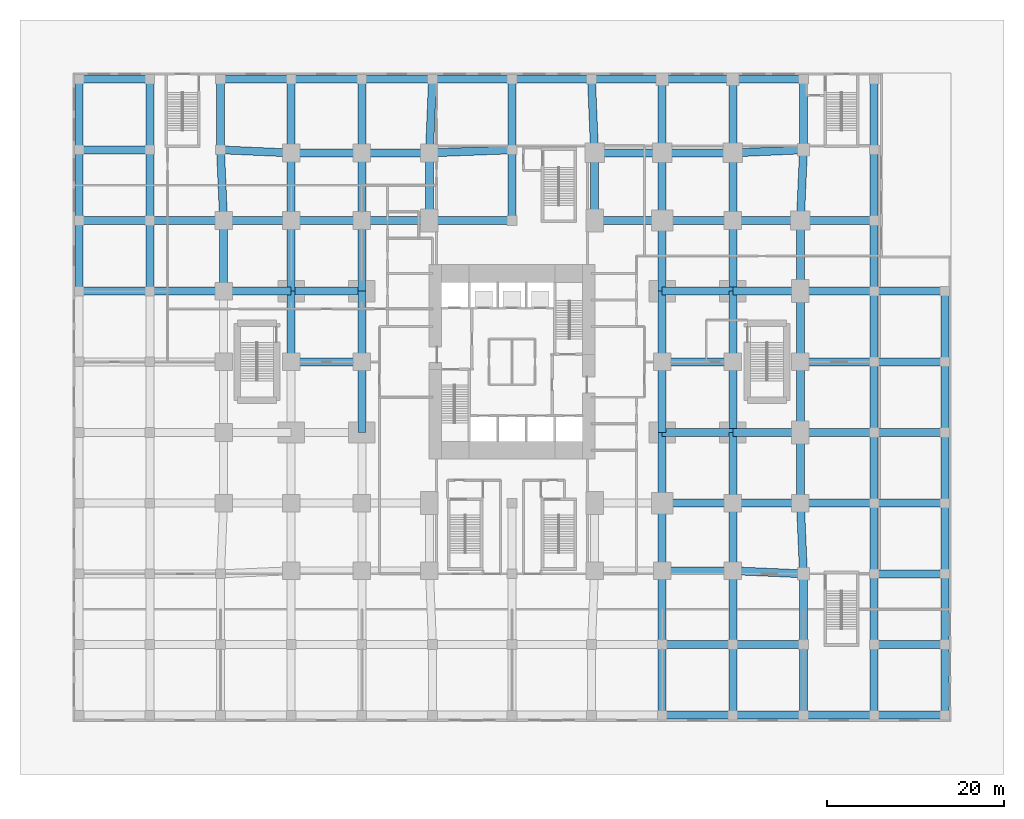
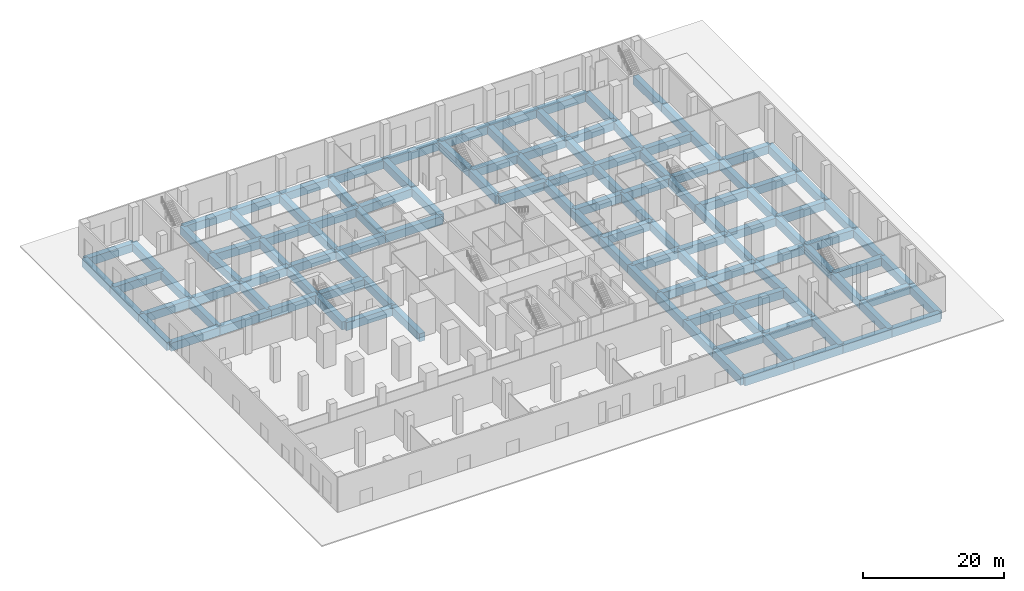
# One storey, part 2 of 16: 123 beams.
"""IFC4 building model written with IfcOpenShell, lengths in metres."""

from ifc_helpers import new_model, si_unit, direction, frame, origin, origin_2d, place, context, subcontext, project, spatial, rectangle, extrude, material, material_profile, profile_set, type_object, element, save


model = new_model("IFC4")

# Units and contexts
model_context = context("Model", 3, precision=1e-05, world=origin(), true_north=direction((0.0, 1.0)))
body_context = subcontext(model_context, "Body", "Model", "MODEL_VIEW")
ifc_project = project(units=[si_unit("LENGTHUNIT", "METRE"), si_unit("AREAUNIT", "SQUARE_METRE"), si_unit("VOLUMEUNIT", "CUBIC_METRE"), si_unit("PLANEANGLEUNIT", "RADIAN"), si_unit("MASSUNIT", "GRAM", prefix="KILO")], contexts=[model_context])

# Site, building, storey
site_placement = place(None, origin())
site = spatial("IfcSite", under=ifc_project, at=site_placement, CompositionType="ELEMENT")
building_placement = place(site_placement, origin())
building = spatial("IfcBuilding", under=site, at=building_placement, Name="Cleftline Residences", CompositionType="ELEMENT")
storey_placement = place(building_placement, origin())
storey = spatial("IfcBuildingStorey", under=building, at=storey_placement, Name="L00", CompositionType="ELEMENT", Elevation=0.0)

# Beams
ifc_material = material(Name="Concrete B45", Category="concrete")
ifc_material_profile = material_profile(ifc_material, rectangle(XDim=0.89990234375, YDim=1.39990234375, at=origin_2d()))
ifc_profile_set = profile_set([ifc_material_profile], Name="Concrete B45")
beam_type = type_object("IfcBeamType", Name="BEAM RC900X1400", PredefinedType="BEAM", material=ifc_profile_set)
for number, where, z_axis, x_axis, name in (
    (1, (50.0, -16.0, -1.0), (1.0, 0.0, 0.0), (0.0, 1.0, 0.0), "Podium beam"),
    (2, (58.0, -16.0, -1.0), (1.0, 0.0, 0.0), (0.0, 1.0, 0.0), "Podium beam"),
    (3, (66.0, -16.0, -1.0), (1.0, 0.0, 0.0), (0.0, 1.0, 0.0), "Podium beam"),
    (4, (74.0, -16.0, -1.0), (1.0, 0.0, 0.0), (0.0, 1.0, 0.0), "Podium beam"),
    (5, (50.0, -8.0, -1.0), (1.0, 0.0, 0.0), (0.0, 1.0, 0.0), "Podium beam"),
    (6, (58.0, -8.0, -1.0), (1.0, 0.0, 0.0), (0.0, 1.0, 0.0), "Podium beam"),
    (7, (74.0, -8.0, -1.0), (1.0, 0.0, 0.0), (0.0, 1.0, 0.0), "Podium beam"),
    (8, (50.0, 0.35009765625, -1.0), (1.0, 0.0, 0.0), (0.0, 1.0, 0.0), "Podium beam"),
):
    element("IfcBeam", number, at=place(storey_placement, frame(where, z_axis=z_axis, x_axis=x_axis)), inside=storey, type_object=beam_type, Name=name, PredefinedType="BEAM", context=body_context, shape_type="SweptSolid", body=[
        extrude(rectangle(XDim=0.89990234375, YDim=1.39990234375, at=origin_2d()), origin(), (0.0, 0.0, 1.0), 8.0),
    ])
beam_1_placement = place(storey_placement, frame((58.0, 0.35009765625, -1.0), z_axis=(0.999043807824, -0.043720361951, 0.0), x_axis=(0.043720361951, 0.999043807824, 0.0)))
element("IfcBeam", 9, at=beam_1_placement, inside=storey, type_object=beam_type, Name="Podium beam", PredefinedType="BEAM", context=body_context, shape_type="SweptSolid", body=[
    extrude(rectangle(XDim=0.89990234375, YDim=1.39990234375, at=origin_2d()), origin(), (0.0, 0.0, 1.0), 8.007568359375),
])
for number, where, z_axis, x_axis, name in (
    (10, (74.0, 0.0, -1.0), (1.0, 0.0, 0.0), (0.0, 1.0, 0.0), "Podium beam"),
    (11, (50.0, 8.0, -1.0), (1.0, 0.0, 0.0), (0.0, 1.0, 0.0), "Podium beam"),
):
    element("IfcBeam", number, at=place(storey_placement, frame(where, z_axis=z_axis, x_axis=x_axis)), inside=storey, type_object=beam_type, Name=name, PredefinedType="BEAM", context=body_context, shape_type="SweptSolid", body=[
        extrude(rectangle(XDim=0.89990234375, YDim=1.39990234375, at=origin_2d()), origin(), (0.0, 0.0, 1.0), 8.0),
    ])
beam_2_placement = place(storey_placement, frame((58.0, 8.0, -1.0), z_axis=(1.0, 0.0, 0.0), x_axis=(0.0, 1.0, 0.0)))
element("IfcBeam", 12, at=beam_2_placement, inside=storey, type_object=beam_type, Name="Podium beam", PredefinedType="BEAM", context=body_context, shape_type="SweptSolid", body=[
    extrude(rectangle(XDim=0.89990234375, YDim=1.39990234375, at=origin_2d()), origin(), (0.0, 0.0, 1.0), 7.64990234375),
])
beam_3_placement = place(storey_placement, frame((65.64990234375, 8.0, -1.0), z_axis=(1.0, 0.0, 0.0), x_axis=(0.0, 1.0, 0.0)))
element("IfcBeam", 13, at=beam_3_placement, inside=storey, type_object=beam_type, Name="Podium beam", PredefinedType="BEAM", context=body_context, shape_type="SweptSolid", body=[
    extrude(rectangle(XDim=0.89990234375, YDim=1.39990234375, at=origin_2d()), origin(), (0.0, 0.0, 1.0), 8.35009765625),
])
for number, where, z_axis, x_axis, name in (
    (14, (74.0, 8.0, -1.0), (1.0, 0.0, 0.0), (0.0, 1.0, 0.0), "Podium beam"),
    (15, (50.0, 16.0, -1.0), (1.0, 0.0, 0.0), (0.0, 1.0, 0.0), "Podium beam"),
):
    element("IfcBeam", number, at=place(storey_placement, frame(where, z_axis=z_axis, x_axis=x_axis)), inside=storey, type_object=beam_type, Name=name, PredefinedType="BEAM", context=body_context, shape_type="SweptSolid", body=[
        extrude(rectangle(XDim=0.89990234375, YDim=1.39990234375, at=origin_2d()), origin(), (0.0, 0.0, 1.0), 8.0),
    ])
beam_4_placement = place(storey_placement, frame((58.0, 16.0, -1.0), z_axis=(1.0, 0.0, 0.0), x_axis=(0.0, 1.0, 0.0)))
element("IfcBeam", 16, at=beam_4_placement, inside=storey, type_object=beam_type, Name="Podium beam", PredefinedType="BEAM", context=body_context, shape_type="SweptSolid", body=[
    extrude(rectangle(XDim=0.89990234375, YDim=1.39990234375, at=origin_2d()), origin(), (0.0, 0.0, 1.0), 7.64990234375),
])
beam_5_placement = place(storey_placement, frame((65.64990234375, 16.0, -1.0), z_axis=(1.0, 0.0, 0.0), x_axis=(0.0, 1.0, 0.0)))
element("IfcBeam", 17, at=beam_5_placement, inside=storey, type_object=beam_type, Name="Podium beam", PredefinedType="BEAM", context=body_context, shape_type="SweptSolid", body=[
    extrude(rectangle(XDim=0.89990234375, YDim=1.39990234375, at=origin_2d()), origin(), (0.0, 0.0, 1.0), 8.35009765625),
])
for number, where, z_axis, x_axis, name in (
    (18, (74.0, 16.0, -1.0), (1.0, 0.0, 0.0), (0.0, 1.0, 0.0), "Podium beam"),
    (19, (8.0, 24.0, -1.0), (1.0, 0.0, 0.0), (0.0, 1.0, 0.0), "Podium beam"),
    (20, (50.0, 24.0, -1.0), (1.0, 0.0, 0.0), (0.0, 1.0, 0.0), "Podium beam"),
):
    element("IfcBeam", number, at=place(storey_placement, frame(where, z_axis=z_axis, x_axis=x_axis)), inside=storey, type_object=beam_type, Name=name, PredefinedType="BEAM", context=body_context, shape_type="SweptSolid", body=[
        extrude(rectangle(XDim=0.89990234375, YDim=1.39990234375, at=origin_2d()), origin(), (0.0, 0.0, 1.0), 8.0),
    ])
beam_6_placement = place(storey_placement, frame((65.64990234375, 24.0, -1.0), z_axis=(1.0, 0.0, 0.0), x_axis=(0.0, 1.0, 0.0)))
element("IfcBeam", 21, at=beam_6_placement, inside=storey, type_object=beam_type, Name="Podium beam", PredefinedType="BEAM", context=body_context, shape_type="SweptSolid", body=[
    extrude(rectangle(XDim=0.89990234375, YDim=1.39990234375, at=origin_2d()), origin(), (0.0, 0.0, 1.0), 8.35009765625),
])
for number, where, z_axis, x_axis, name in (
    (22, (74.0, 24.0, -1.0), (1.0, 0.0, 0.0), (0.0, 1.0, 0.0), "Podium beam"),
    (23, (-16.0, 32.0, -1.0), (1.0, 0.0, 0.0), (0.0, 1.0, 0.0), "Podium beam"),
):
    element("IfcBeam", number, at=place(storey_placement, frame(where, z_axis=z_axis, x_axis=x_axis)), inside=storey, type_object=beam_type, Name=name, PredefinedType="BEAM", context=body_context, shape_type="SweptSolid", body=[
        extrude(rectangle(XDim=0.89990234375, YDim=1.39990234375, at=origin_2d()), origin(), (0.0, 0.0, 1.0), 8.0),
    ])
beam_7_placement = place(storey_placement, frame((-8.0, 32.0, -1.0), z_axis=(1.0, 0.0, 0.0), x_axis=(0.0, 1.0, 0.0)))
element("IfcBeam", 24, at=beam_7_placement, inside=storey, type_object=beam_type, Name="Podium beam", PredefinedType="BEAM", context=body_context, shape_type="SweptSolid", body=[
    extrude(rectangle(XDim=0.89990234375, YDim=1.39990234375, at=origin_2d()), origin(), (0.0, 0.0, 1.0), 8.35009765625),
])
beam_8_placement = place(storey_placement, frame((0.35009765625, 32.0, -1.0), z_axis=(1.0, 0.0, 0.0), x_axis=(0.0, 1.0, 0.0)))
element("IfcBeam", 25, at=beam_8_placement, inside=storey, type_object=beam_type, Name="Podium beam", PredefinedType="BEAM", context=body_context, shape_type="SweptSolid", body=[
    extrude(rectangle(XDim=0.89990234375, YDim=1.39990234375, at=origin_2d()), origin(), (0.0, 0.0, 1.0), 7.64990234375),
])
for number, where, z_axis, x_axis, name in (
    (26, (8.0, 32.0, -1.0), (1.0, 0.0, 0.0), (0.0, 1.0, 0.0), "Podium beam"),
    (27, (50.0, 32.0, -1.0), (1.0, 0.0, 0.0), (0.0, 1.0, 0.0), "Podium beam"),
):
    element("IfcBeam", number, at=place(storey_placement, frame(where, z_axis=z_axis, x_axis=x_axis)), inside=storey, type_object=beam_type, Name=name, PredefinedType="BEAM", context=body_context, shape_type="SweptSolid", body=[
        extrude(rectangle(XDim=0.89990234375, YDim=1.39990234375, at=origin_2d()), origin(), (0.0, 0.0, 1.0), 8.0),
    ])
beam_9_placement = place(storey_placement, frame((58.0, 32.0, -1.0), z_axis=(1.0, 0.0, 0.0), x_axis=(0.0, 1.0, 0.0)))
element("IfcBeam", 28, at=beam_9_placement, inside=storey, type_object=beam_type, Name="Podium beam", PredefinedType="BEAM", context=body_context, shape_type="SweptSolid", body=[
    extrude(rectangle(XDim=0.89990234375, YDim=1.39990234375, at=origin_2d()), origin(), (0.0, 0.0, 1.0), 7.64990234375),
])
beam_10_placement = place(storey_placement, frame((65.64990234375, 32.0, -1.0), z_axis=(1.0, 0.0, 0.0), x_axis=(0.0, 1.0, 0.0)))
element("IfcBeam", 29, at=beam_10_placement, inside=storey, type_object=beam_type, Name="Podium beam", PredefinedType="BEAM", context=body_context, shape_type="SweptSolid", body=[
    extrude(rectangle(XDim=0.89990234375, YDim=1.39990234375, at=origin_2d()), origin(), (0.0, 0.0, 1.0), 8.35009765625),
])
for number, where, z_axis, x_axis, name in (
    (30, (74.0, 32.0, -1.0), (1.0, 0.0, 0.0), (0.0, 1.0, 0.0), "Podium beam"),
    (31, (-16.0, 40.0, -1.0), (1.0, 0.0, 0.0), (0.0, 1.0, 0.0), "Podium beam"),
):
    element("IfcBeam", number, at=place(storey_placement, frame(where, z_axis=z_axis, x_axis=x_axis)), inside=storey, type_object=beam_type, Name=name, PredefinedType="BEAM", context=body_context, shape_type="SweptSolid", body=[
        extrude(rectangle(XDim=0.89990234375, YDim=1.39990234375, at=origin_2d()), origin(), (0.0, 0.0, 1.0), 8.0),
    ])
beam_11_placement = place(storey_placement, frame((-8.0, 40.0, -1.0), z_axis=(1.0, 0.0, 0.0), x_axis=(0.0, 1.0, 0.0)))
element("IfcBeam", 32, at=beam_11_placement, inside=storey, type_object=beam_type, Name="Podium beam", PredefinedType="BEAM", context=body_context, shape_type="SweptSolid", body=[
    extrude(rectangle(XDim=0.89990234375, YDim=1.39990234375, at=origin_2d()), origin(), (0.0, 0.0, 1.0), 8.35009765625),
])
beam_12_placement = place(storey_placement, frame((0.35009765625, 40.0, -1.0), z_axis=(1.0, 0.0, 0.0), x_axis=(0.0, 1.0, 0.0)))
element("IfcBeam", 33, at=beam_12_placement, inside=storey, type_object=beam_type, Name="Podium beam", PredefinedType="BEAM", context=body_context, shape_type="SweptSolid", body=[
    extrude(rectangle(XDim=0.89990234375, YDim=1.39990234375, at=origin_2d()), origin(), (0.0, 0.0, 1.0), 7.64990234375),
])
beam_13_placement = place(storey_placement, frame((8.0, 40.0, -1.0), z_axis=(1.0, 0.0, 0.0), x_axis=(0.0, 1.0, 0.0)))
element("IfcBeam", 34, at=beam_13_placement, inside=storey, type_object=beam_type, Name="Podium beam", PredefinedType="BEAM", context=body_context, shape_type="SweptSolid", body=[
    extrude(rectangle(XDim=0.89990234375, YDim=1.39990234375, at=origin_2d()), origin(), (0.0, 0.0, 1.0), 8.0),
])
beam_14_placement = place(storey_placement, frame((16.0, 40.0, -1.0), z_axis=(1.0, 0.0, 0.0), x_axis=(0.0, 1.0, 0.0)))
element("IfcBeam", 35, at=beam_14_placement, inside=storey, type_object=beam_type, Name="Podium beam", PredefinedType="BEAM", context=body_context, shape_type="SweptSolid", body=[
    extrude(rectangle(XDim=0.89990234375, YDim=1.39990234375, at=origin_2d()), origin(), (0.0, 0.0, 1.0), 7.64990234375),
])
beam_15_placement = place(storey_placement, frame((23.64990234375, 40.0, -1.0), z_axis=(1.0, 0.0, 0.0), x_axis=(0.0, 1.0, 0.0)))
element("IfcBeam", 36, at=beam_15_placement, inside=storey, type_object=beam_type, Name="Podium beam", PredefinedType="BEAM", context=body_context, shape_type="SweptSolid", body=[
    extrude(rectangle(XDim=0.89990234375, YDim=1.39990234375, at=origin_2d()), origin(), (0.0, 0.0, 1.0), 9.35009765625),
])
beam_16_placement = place(storey_placement, frame((42.35009765625, 40.0, -1.0), z_axis=(1.0, 0.0, 0.0), x_axis=(0.0, 1.0, 0.0)))
element("IfcBeam", 37, at=beam_16_placement, inside=storey, type_object=beam_type, Name="Podium beam", PredefinedType="BEAM", context=body_context, shape_type="SweptSolid", body=[
    extrude(rectangle(XDim=0.89990234375, YDim=1.39990234375, at=origin_2d()), origin(), (0.0, 0.0, 1.0), 7.64990234375),
])
beam_17_placement = place(storey_placement, frame((50.0, 40.0, -1.0), z_axis=(1.0, 0.0, 0.0), x_axis=(0.0, 1.0, 0.0)))
element("IfcBeam", 38, at=beam_17_placement, inside=storey, type_object=beam_type, Name="Podium beam", PredefinedType="BEAM", context=body_context, shape_type="SweptSolid", body=[
    extrude(rectangle(XDim=0.89990234375, YDim=1.39990234375, at=origin_2d()), origin(), (0.0, 0.0, 1.0), 8.0),
])
beam_18_placement = place(storey_placement, frame((58.0, 40.0, -1.0), z_axis=(1.0, 0.0, 0.0), x_axis=(0.0, 1.0, 0.0)))
element("IfcBeam", 39, at=beam_18_placement, inside=storey, type_object=beam_type, Name="Podium beam", PredefinedType="BEAM", context=body_context, shape_type="SweptSolid", body=[
    extrude(rectangle(XDim=0.89990234375, YDim=1.39990234375, at=origin_2d()), origin(), (0.0, 0.0, 1.0), 7.64990234375),
])
beam_19_placement = place(storey_placement, frame((65.64990234375, 40.0, -1.0), z_axis=(1.0, 0.0, 0.0), x_axis=(0.0, 1.0, 0.0)))
element("IfcBeam", 40, at=beam_19_placement, inside=storey, type_object=beam_type, Name="Podium beam", PredefinedType="BEAM", context=body_context, shape_type="SweptSolid", body=[
    extrude(rectangle(XDim=0.89990234375, YDim=1.39990234375, at=origin_2d()), origin(), (0.0, 0.0, 1.0), 8.35009765625),
])
beam_20_placement = place(storey_placement, frame((-16.0, 48.0, -1.0), z_axis=(1.0, 0.0, 0.0), x_axis=(0.0, 1.0, 0.0)))
element("IfcBeam", 41, at=beam_20_placement, inside=storey, type_object=beam_type, Name="Podium beam", PredefinedType="BEAM", context=body_context, shape_type="SweptSolid", body=[
    extrude(rectangle(XDim=0.89990234375, YDim=1.39990234375, at=origin_2d()), origin(), (0.0, 0.0, 1.0), 8.0),
])
beam_21_placement = place(storey_placement, frame((0.0, 48.0, -1.0), z_axis=(0.999043807824, -0.043720361951, 0.0), x_axis=(0.043720361951, 0.999043807824, 0.0)))
element("IfcBeam", 42, at=beam_21_placement, inside=storey, type_object=beam_type, Name="Podium beam", PredefinedType="BEAM", context=body_context, shape_type="SweptSolid", body=[
    extrude(rectangle(XDim=0.89990234375, YDim=1.39990234375, at=origin_2d()), origin(), (0.0, 0.0, 1.0), 8.007568359375),
])
beam_22_placement = place(storey_placement, frame((8.0, 47.64990234375, -1.0), z_axis=(1.0, 0.0, 0.0), x_axis=(0.0, 1.0, 0.0)))
element("IfcBeam", 43, at=beam_22_placement, inside=storey, type_object=beam_type, Name="Podium beam", PredefinedType="BEAM", context=body_context, shape_type="SweptSolid", body=[
    extrude(rectangle(XDim=0.89990234375, YDim=1.39990234375, at=origin_2d()), origin(), (0.0, 0.0, 1.0), 8.0),
])
beam_23_placement = place(storey_placement, frame((16.0, 47.64990234375, -1.0), z_axis=(1.0, 0.0, 0.0), x_axis=(0.0, 1.0, 0.0)))
element("IfcBeam", 44, at=beam_23_placement, inside=storey, type_object=beam_type, Name="Podium beam", PredefinedType="BEAM", context=body_context, shape_type="SweptSolid", body=[
    extrude(rectangle(XDim=0.89990234375, YDim=1.39990234375, at=origin_2d()), origin(), (0.0, 0.0, 1.0), 7.64990234375),
])
beam_24_placement = place(storey_placement, frame((23.64990234375, 47.64990234375, -1.0), z_axis=(0.999299739303, 0.037416988515, 0.0), x_axis=(-0.037416988515, 0.999299739303, 0.0)))
element("IfcBeam", 45, at=beam_24_placement, inside=storey, type_object=beam_type, Name="Podium beam", PredefinedType="BEAM", context=body_context, shape_type="SweptSolid", body=[
    extrude(rectangle(XDim=0.89990234375, YDim=1.39990234375, at=origin_2d()), origin(), (0.0, 0.0, 1.0), 9.356689453125),
])
beam_25_placement = place(storey_placement, frame((42.35009765625, 47.64990234375, -1.0), z_axis=(1.0, 0.0, 0.0), x_axis=(0.0, 1.0, 0.0)))
element("IfcBeam", 46, at=beam_25_placement, inside=storey, type_object=beam_type, Name="Podium beam", PredefinedType="BEAM", context=body_context, shape_type="SweptSolid", body=[
    extrude(rectangle(XDim=0.89990234375, YDim=1.39990234375, at=origin_2d()), origin(), (0.0, 0.0, 1.0), 7.64990234375),
])
beam_26_placement = place(storey_placement, frame((50.0, 47.64990234375, -1.0), z_axis=(1.0, 0.0, 0.0), x_axis=(0.0, 1.0, 0.0)))
element("IfcBeam", 47, at=beam_26_placement, inside=storey, type_object=beam_type, Name="Podium beam", PredefinedType="BEAM", context=body_context, shape_type="SweptSolid", body=[
    extrude(rectangle(XDim=0.89990234375, YDim=1.39990234375, at=origin_2d()), origin(), (0.0, 0.0, 1.0), 8.0),
])
beam_27_placement = place(storey_placement, frame((58.0, 47.64990234375, -1.0), z_axis=(0.999043807824, 0.043720361951, 0.0), x_axis=(-0.043720361951, 0.999043807824, 0.0)))
element("IfcBeam", 48, at=beam_27_placement, inside=storey, type_object=beam_type, Name="Podium beam", PredefinedType="BEAM", context=body_context, shape_type="SweptSolid", body=[
    extrude(rectangle(XDim=0.89990234375, YDim=1.39990234375, at=origin_2d()), origin(), (0.0, 0.0, 1.0), 8.007568359375),
])
for number, where, z_axis, x_axis, name in (
    (49, (-16.0, 56.0, -1.0), (1.0, 0.0, 0.0), (0.0, 1.0, 0.0), "Podium beam"),
    (50, (0.0, 56.0, -1.0), (1.0, 0.0, 0.0), (0.0, 1.0, 0.0), "Podium beam"),
    (51, (8.0, 56.0, -1.0), (1.0, 0.0, 0.0), (0.0, 1.0, 0.0), "Podium beam"),
    (52, (16.0, 56.0, -1.0), (1.0, 0.0, 0.0), (0.0, 1.0, 0.0), "Podium beam"),
):
    element("IfcBeam", number, at=place(storey_placement, frame(where, z_axis=z_axis, x_axis=x_axis)), inside=storey, type_object=beam_type, Name=name, PredefinedType="BEAM", context=body_context, shape_type="SweptSolid", body=[
        extrude(rectangle(XDim=0.89990234375, YDim=1.39990234375, at=origin_2d()), origin(), (0.0, 0.0, 1.0), 8.0),
    ])
for number, where, z_axis, x_axis, name in (
    (53, (24.0, 56.0, -1.0), (1.0, 0.0, 0.0), (0.0, 1.0, 0.0), "Podium beam"),
    (54, (33.0, 56.0, -1.0), (1.0, 0.0, 0.0), (0.0, 1.0, 0.0), "Podium beam"),
):
    element("IfcBeam", number, at=place(storey_placement, frame(where, z_axis=z_axis, x_axis=x_axis)), inside=storey, type_object=beam_type, Name=name, PredefinedType="BEAM", context=body_context, shape_type="SweptSolid", body=[
        extrude(rectangle(XDim=0.89990234375, YDim=1.39990234375, at=origin_2d()), origin(), (0.0, 0.0, 1.0), 9.0),
    ])
for number, where, z_axis, x_axis, name in (
    (55, (42.0, 56.0, -1.0), (1.0, 0.0, 0.0), (0.0, 1.0, 0.0), "Podium beam"),
    (56, (50.0, 56.0, -1.0), (1.0, 0.0, 0.0), (0.0, 1.0, 0.0), "Podium beam"),
    (57, (58.0, 56.0, -1.0), (1.0, 0.0, 0.0), (0.0, 1.0, 0.0), "Podium beam"),
    (58, (-16.0, 32.0, -1.0), (0.0, 1.0, 0.0), (-1.0, 0.0, 0.0), "Podium beam"),
    (59, (-16.0, 40.0, -1.0), (0.0, 1.0, 0.0), (-1.0, 0.0, 0.0), "Podium beam"),
    (60, (-16.0, 48.0, -1.0), (0.0, 1.0, 0.0), (-1.0, 0.0, 0.0), "Podium beam"),
    (61, (-8.0, 32.0, -1.0), (0.0, 1.0, 0.0), (-1.0, 0.0, 0.0), "Podium beam"),
    (62, (-8.0, 40.0, -1.0), (0.0, 1.0, 0.0), (-1.0, 0.0, 0.0), "Podium beam"),
    (63, (-8.0, 48.0, -1.0), (0.0, 1.0, 0.0), (-1.0, 0.0, 0.0), "Podium beam"),
    (64, (0.35009765625, 32.0, -1.0), (0.0, 1.0, 0.0), (-1.0, 0.0, 0.0), "Podium beam"),
):
    element("IfcBeam", number, at=place(storey_placement, frame(where, z_axis=z_axis, x_axis=x_axis)), inside=storey, type_object=beam_type, Name=name, PredefinedType="BEAM", context=body_context, shape_type="SweptSolid", body=[
        extrude(rectangle(XDim=0.89990234375, YDim=1.39990234375, at=origin_2d()), origin(), (0.0, 0.0, 1.0), 8.0),
    ])
beam_28_placement = place(storey_placement, frame((0.35009765625, 40.0, -1.0), z_axis=(-0.043720361951, 0.999043807824, 0.0), x_axis=(-0.999043807824, -0.043720361951, 0.0)))
element("IfcBeam", 65, at=beam_28_placement, inside=storey, type_object=beam_type, Name="Podium beam", PredefinedType="BEAM", context=body_context, shape_type="SweptSolid", body=[
    extrude(rectangle(XDim=0.89990234375, YDim=1.39990234375, at=origin_2d()), origin(), (0.0, 0.0, 1.0), 8.007568359375),
])
for number, where, z_axis, x_axis, name in (
    (66, (0.0, 48.0, -1.0), (0.0, 1.0, 0.0), (-1.0, 0.0, 0.0), "Podium beam"),
    (67, (8.0, 24.0, -1.0), (0.0, 1.0, 0.0), (-1.0, 0.0, 0.0), "Podium beam"),
    (68, (8.0, 32.0, -1.0), (0.0, 1.0, 0.0), (-1.0, 0.0, 0.0), "Podium beam"),
):
    element("IfcBeam", number, at=place(storey_placement, frame(where, z_axis=z_axis, x_axis=x_axis)), inside=storey, type_object=beam_type, Name=name, PredefinedType="BEAM", context=body_context, shape_type="SweptSolid", body=[
        extrude(rectangle(XDim=0.89990234375, YDim=1.39990234375, at=origin_2d()), origin(), (0.0, 0.0, 1.0), 8.0),
    ])
beam_29_placement = place(storey_placement, frame((8.0, 40.0, -1.0), z_axis=(0.0, 1.0, 0.0), x_axis=(-1.0, 0.0, 0.0)))
element("IfcBeam", 69, at=beam_29_placement, inside=storey, type_object=beam_type, Name="Podium beam", PredefinedType="BEAM", context=body_context, shape_type="SweptSolid", body=[
    extrude(rectangle(XDim=0.89990234375, YDim=1.39990234375, at=origin_2d()), origin(), (0.0, 0.0, 1.0), 7.64990234375),
])
beam_30_placement = place(storey_placement, frame((8.0, 47.64990234375, -1.0), z_axis=(0.0, 1.0, 0.0), x_axis=(-1.0, 0.0, 0.0)))
element("IfcBeam", 70, at=beam_30_placement, inside=storey, type_object=beam_type, Name="Podium beam", PredefinedType="BEAM", context=body_context, shape_type="SweptSolid", body=[
    extrude(rectangle(XDim=0.89990234375, YDim=1.39990234375, at=origin_2d()), origin(), (0.0, 0.0, 1.0), 8.35009765625),
])
for number, where, z_axis, x_axis, name in (
    (71, (16.0, 16.0, -1.0), (0.0, 1.0, 0.0), (-1.0, 0.0, 0.0), "Podium beam"),
    (72, (16.0, 24.0, -1.0), (0.0, 1.0, 0.0), (-1.0, 0.0, 0.0), "Podium beam"),
    (73, (16.0, 32.0, -1.0), (0.0, 1.0, 0.0), (-1.0, 0.0, 0.0), "Podium beam"),
):
    element("IfcBeam", number, at=place(storey_placement, frame(where, z_axis=z_axis, x_axis=x_axis)), inside=storey, type_object=beam_type, Name=name, PredefinedType="BEAM", context=body_context, shape_type="SweptSolid", body=[
        extrude(rectangle(XDim=0.89990234375, YDim=1.39990234375, at=origin_2d()), origin(), (0.0, 0.0, 1.0), 8.0),
    ])
beam_31_placement = place(storey_placement, frame((16.0, 40.0, -1.0), z_axis=(0.0, 1.0, 0.0), x_axis=(-1.0, 0.0, 0.0)))
element("IfcBeam", 74, at=beam_31_placement, inside=storey, type_object=beam_type, Name="Podium beam", PredefinedType="BEAM", context=body_context, shape_type="SweptSolid", body=[
    extrude(rectangle(XDim=0.89990234375, YDim=1.39990234375, at=origin_2d()), origin(), (0.0, 0.0, 1.0), 7.64990234375),
])
beam_32_placement = place(storey_placement, frame((16.0, 47.64990234375, -1.0), z_axis=(0.0, 1.0, 0.0), x_axis=(-1.0, 0.0, 0.0)))
element("IfcBeam", 75, at=beam_32_placement, inside=storey, type_object=beam_type, Name="Podium beam", PredefinedType="BEAM", context=body_context, shape_type="SweptSolid", body=[
    extrude(rectangle(XDim=0.89990234375, YDim=1.39990234375, at=origin_2d()), origin(), (0.0, 0.0, 1.0), 8.35009765625),
])
beam_33_placement = place(storey_placement, frame((23.64990234375, 40.0, -1.0), z_axis=(0.0, 1.0, 0.0), x_axis=(-1.0, 0.0, 0.0)))
element("IfcBeam", 76, at=beam_33_placement, inside=storey, type_object=beam_type, Name="Podium beam", PredefinedType="BEAM", context=body_context, shape_type="SweptSolid", body=[
    extrude(rectangle(XDim=0.89990234375, YDim=1.39990234375, at=origin_2d()), origin(), (0.0, 0.0, 1.0), 7.64990234375),
])
beam_34_placement = place(storey_placement, frame((23.64990234375, 47.64990234375, -1.0), z_axis=(0.041890569024, 0.999122204851, 0.0), x_axis=(-0.999122204851, 0.041890569024, 0.0)))
element("IfcBeam", 77, at=beam_34_placement, inside=storey, type_object=beam_type, Name="Podium beam", PredefinedType="BEAM", context=body_context, shape_type="SweptSolid", body=[
    extrude(rectangle(XDim=0.89990234375, YDim=1.39990234375, at=origin_2d()), origin(), (0.0, 0.0, 1.0), 8.357421875),
])
for number, where, z_axis, x_axis, name in (
    (78, (33.0, 40.0, -1.0), (0.0, 1.0, 0.0), (-1.0, 0.0, 0.0), "Podium beam"),
    (79, (33.0, 48.0, -1.0), (0.0, 1.0, 0.0), (-1.0, 0.0, 0.0), "Podium beam"),
):
    element("IfcBeam", number, at=place(storey_placement, frame(where, z_axis=z_axis, x_axis=x_axis)), inside=storey, type_object=beam_type, Name=name, PredefinedType="BEAM", context=body_context, shape_type="SweptSolid", body=[
        extrude(rectangle(XDim=0.89990234375, YDim=1.39990234375, at=origin_2d()), origin(), (0.0, 0.0, 1.0), 8.0),
    ])
beam_35_placement = place(storey_placement, frame((42.35009765625, 40.0, -1.0), z_axis=(0.0, 1.0, 0.0), x_axis=(-1.0, 0.0, 0.0)))
element("IfcBeam", 80, at=beam_35_placement, inside=storey, type_object=beam_type, Name="Podium beam", PredefinedType="BEAM", context=body_context, shape_type="SweptSolid", body=[
    extrude(rectangle(XDim=0.89990234375, YDim=1.39990234375, at=origin_2d()), origin(), (0.0, 0.0, 1.0), 7.64990234375),
])
beam_36_placement = place(storey_placement, frame((42.35009765625, 47.64990234375, -1.0), z_axis=(-0.041890569024, 0.999122204851, 0.0), x_axis=(-0.999122204851, -0.041890569024, 0.0)))
element("IfcBeam", 81, at=beam_36_placement, inside=storey, type_object=beam_type, Name="Podium beam", PredefinedType="BEAM", context=body_context, shape_type="SweptSolid", body=[
    extrude(rectangle(XDim=0.89990234375, YDim=1.39990234375, at=origin_2d()), origin(), (0.0, 0.0, 1.0), 8.357421875),
])
beam_37_placement = place(storey_placement, frame((50.0, -16.0, -1.0), z_axis=(0.0, 1.0, 0.0), x_axis=(-1.0, 0.0, 0.0)))
element("IfcBeam", 82, at=beam_37_placement, inside=storey, type_object=beam_type, Name="Podium beam", PredefinedType="BEAM", context=body_context, shape_type="SweptSolid", body=[
    extrude(rectangle(XDim=0.89990234375, YDim=1.39990234375, at=origin_2d()), origin(), (0.0, 0.0, 1.0), 8.0),
])
beam_38_placement = place(storey_placement, frame((50.0, -8.0, -1.0), z_axis=(0.0, 1.0, 0.0), x_axis=(-1.0, 0.0, 0.0)))
element("IfcBeam", 83, at=beam_38_placement, inside=storey, type_object=beam_type, Name="Podium beam", PredefinedType="BEAM", context=body_context, shape_type="SweptSolid", body=[
    extrude(rectangle(XDim=0.89990234375, YDim=1.39990234375, at=origin_2d()), origin(), (0.0, 0.0, 1.0), 8.35009765625),
])
beam_39_placement = place(storey_placement, frame((50.0, 0.35009765625, -1.0), z_axis=(0.0, 1.0, 0.0), x_axis=(-1.0, 0.0, 0.0)))
element("IfcBeam", 84, at=beam_39_placement, inside=storey, type_object=beam_type, Name="Podium beam", PredefinedType="BEAM", context=body_context, shape_type="SweptSolid", body=[
    extrude(rectangle(XDim=0.89990234375, YDim=1.39990234375, at=origin_2d()), origin(), (0.0, 0.0, 1.0), 7.64990234375),
])
for number, where, z_axis, x_axis, name in (
    (85, (50.0, 8.0, -1.0), (0.0, 1.0, 0.0), (-1.0, 0.0, 0.0), "Podium beam"),
    (86, (50.0, 16.0, -1.0), (0.0, 1.0, 0.0), (-1.0, 0.0, 0.0), "Podium beam"),
    (87, (50.0, 24.0, -1.0), (0.0, 1.0, 0.0), (-1.0, 0.0, 0.0), "Podium beam"),
    (88, (50.0, 32.0, -1.0), (0.0, 1.0, 0.0), (-1.0, 0.0, 0.0), "Podium beam"),
):
    element("IfcBeam", number, at=place(storey_placement, frame(where, z_axis=z_axis, x_axis=x_axis)), inside=storey, type_object=beam_type, Name=name, PredefinedType="BEAM", context=body_context, shape_type="SweptSolid", body=[
        extrude(rectangle(XDim=0.89990234375, YDim=1.39990234375, at=origin_2d()), origin(), (0.0, 0.0, 1.0), 8.0),
    ])
beam_40_placement = place(storey_placement, frame((50.0, 40.0, -1.0), z_axis=(0.0, 1.0, 0.0), x_axis=(-1.0, 0.0, 0.0)))
element("IfcBeam", 89, at=beam_40_placement, inside=storey, type_object=beam_type, Name="Podium beam", PredefinedType="BEAM", context=body_context, shape_type="SweptSolid", body=[
    extrude(rectangle(XDim=0.89990234375, YDim=1.39990234375, at=origin_2d()), origin(), (0.0, 0.0, 1.0), 7.64990234375),
])
beam_41_placement = place(storey_placement, frame((50.0, 47.64990234375, -1.0), z_axis=(0.0, 1.0, 0.0), x_axis=(-1.0, 0.0, 0.0)))
element("IfcBeam", 90, at=beam_41_placement, inside=storey, type_object=beam_type, Name="Podium beam", PredefinedType="BEAM", context=body_context, shape_type="SweptSolid", body=[
    extrude(rectangle(XDim=0.89990234375, YDim=1.39990234375, at=origin_2d()), origin(), (0.0, 0.0, 1.0), 8.35009765625),
])
beam_42_placement = place(storey_placement, frame((58.0, -16.0, -1.0), z_axis=(0.0, 1.0, 0.0), x_axis=(-1.0, 0.0, 0.0)))
element("IfcBeam", 91, at=beam_42_placement, inside=storey, type_object=beam_type, Name="Podium beam", PredefinedType="BEAM", context=body_context, shape_type="SweptSolid", body=[
    extrude(rectangle(XDim=0.89990234375, YDim=1.39990234375, at=origin_2d()), origin(), (0.0, 0.0, 1.0), 8.0),
])
beam_43_placement = place(storey_placement, frame((58.0, -8.0, -1.0), z_axis=(0.0, 1.0, 0.0), x_axis=(-1.0, 0.0, 0.0)))
element("IfcBeam", 92, at=beam_43_placement, inside=storey, type_object=beam_type, Name="Podium beam", PredefinedType="BEAM", context=body_context, shape_type="SweptSolid", body=[
    extrude(rectangle(XDim=0.89990234375, YDim=1.39990234375, at=origin_2d()), origin(), (0.0, 0.0, 1.0), 8.35009765625),
])
beam_44_placement = place(storey_placement, frame((58.0, 0.35009765625, -1.0), z_axis=(0.0, 1.0, 0.0), x_axis=(-1.0, 0.0, 0.0)))
element("IfcBeam", 93, at=beam_44_placement, inside=storey, type_object=beam_type, Name="Podium beam", PredefinedType="BEAM", context=body_context, shape_type="SweptSolid", body=[
    extrude(rectangle(XDim=0.89990234375, YDim=1.39990234375, at=origin_2d()), origin(), (0.0, 0.0, 1.0), 7.64990234375),
])
for number, where, z_axis, x_axis, name in (
    (94, (58.0, 8.0, -1.0), (0.0, 1.0, 0.0), (-1.0, 0.0, 0.0), "Podium beam"),
    (95, (58.0, 16.0, -1.0), (0.0, 1.0, 0.0), (-1.0, 0.0, 0.0), "Podium beam"),
    (96, (58.0, 24.0, -1.0), (0.0, 1.0, 0.0), (-1.0, 0.0, 0.0), "Podium beam"),
    (97, (58.0, 32.0, -1.0), (0.0, 1.0, 0.0), (-1.0, 0.0, 0.0), "Podium beam"),
):
    element("IfcBeam", number, at=place(storey_placement, frame(where, z_axis=z_axis, x_axis=x_axis)), inside=storey, type_object=beam_type, Name=name, PredefinedType="BEAM", context=body_context, shape_type="SweptSolid", body=[
        extrude(rectangle(XDim=0.89990234375, YDim=1.39990234375, at=origin_2d()), origin(), (0.0, 0.0, 1.0), 8.0),
    ])
beam_45_placement = place(storey_placement, frame((58.0, 40.0, -1.0), z_axis=(0.0, 1.0, 0.0), x_axis=(-1.0, 0.0, 0.0)))
element("IfcBeam", 98, at=beam_45_placement, inside=storey, type_object=beam_type, Name="Podium beam", PredefinedType="BEAM", context=body_context, shape_type="SweptSolid", body=[
    extrude(rectangle(XDim=0.89990234375, YDim=1.39990234375, at=origin_2d()), origin(), (0.0, 0.0, 1.0), 7.64990234375),
])
beam_46_placement = place(storey_placement, frame((58.0, 47.64990234375, -1.0), z_axis=(0.0, 1.0, 0.0), x_axis=(-1.0, 0.0, 0.0)))
element("IfcBeam", 99, at=beam_46_placement, inside=storey, type_object=beam_type, Name="Podium beam", PredefinedType="BEAM", context=body_context, shape_type="SweptSolid", body=[
    extrude(rectangle(XDim=0.89990234375, YDim=1.39990234375, at=origin_2d()), origin(), (0.0, 0.0, 1.0), 8.35009765625),
])
for number, where, z_axis, x_axis, name in (
    (100, (66.0, -16.0, -1.0), (0.0, 1.0, 0.0), (-1.0, 0.0, 0.0), "Podium beam"),
    (101, (66.0, -8.0, -1.0), (0.0, 1.0, 0.0), (-1.0, 0.0, 0.0), "Podium beam"),
):
    element("IfcBeam", number, at=place(storey_placement, frame(where, z_axis=z_axis, x_axis=x_axis)), inside=storey, type_object=beam_type, Name=name, PredefinedType="BEAM", context=body_context, shape_type="SweptSolid", body=[
        extrude(rectangle(XDim=0.89990234375, YDim=1.39990234375, at=origin_2d()), origin(), (0.0, 0.0, 1.0), 8.0),
    ])
beam_47_placement = place(storey_placement, frame((66.0, 0.0, -1.0), z_axis=(-0.043720361951, 0.999043807824, 0.0), x_axis=(-0.999043807824, -0.043720361951, 0.0)))
element("IfcBeam", 102, at=beam_47_placement, inside=storey, type_object=beam_type, Name="Podium beam", PredefinedType="BEAM", context=body_context, shape_type="SweptSolid", body=[
    extrude(rectangle(XDim=0.89990234375, YDim=1.39990234375, at=origin_2d()), origin(), (0.0, 0.0, 1.0), 8.007568359375),
])
for number, where, z_axis, x_axis, name in (
    (103, (65.64990234375, 8.0, -1.0), (0.0, 1.0, 0.0), (-1.0, 0.0, 0.0), "Podium beam"),
    (104, (65.64990234375, 16.0, -1.0), (0.0, 1.0, 0.0), (-1.0, 0.0, 0.0), "Podium beam"),
    (105, (65.64990234375, 24.0, -1.0), (0.0, 1.0, 0.0), (-1.0, 0.0, 0.0), "Podium beam"),
    (106, (65.64990234375, 32.0, -1.0), (0.0, 1.0, 0.0), (-1.0, 0.0, 0.0), "Podium beam"),
):
    element("IfcBeam", number, at=place(storey_placement, frame(where, z_axis=z_axis, x_axis=x_axis)), inside=storey, type_object=beam_type, Name=name, PredefinedType="BEAM", context=body_context, shape_type="SweptSolid", body=[
        extrude(rectangle(XDim=0.89990234375, YDim=1.39990234375, at=origin_2d()), origin(), (0.0, 0.0, 1.0), 8.0),
    ])
beam_48_placement = place(storey_placement, frame((65.64990234375, 40.0, -1.0), z_axis=(0.043720361951, 0.999043807824, 0.0), x_axis=(-0.999043807824, 0.043720361951, 0.0)))
element("IfcBeam", 107, at=beam_48_placement, inside=storey, type_object=beam_type, Name="Podium beam", PredefinedType="BEAM", context=body_context, shape_type="SweptSolid", body=[
    extrude(rectangle(XDim=0.89990234375, YDim=1.39990234375, at=origin_2d()), origin(), (0.0, 0.0, 1.0), 8.007568359375),
])
for number, where, z_axis, x_axis, name in (
    (108, (66.0, 48.0, -1.0), (0.0, 1.0, 0.0), (-1.0, 0.0, 0.0), "Podium beam"),
    (109, (74.0, -16.0, -1.0), (0.0, 1.0, 0.0), (-1.0, 0.0, 0.0), "Podium beam"),
    (110, (74.0, -8.0, -1.0), (0.0, 1.0, 0.0), (-1.0, 0.0, 0.0), "Podium beam"),
    (111, (74.0, 0.0, -1.0), (0.0, 1.0, 0.0), (-1.0, 0.0, 0.0), "Podium beam"),
    (112, (74.0, 8.0, -1.0), (0.0, 1.0, 0.0), (-1.0, 0.0, 0.0), "Podium beam"),
    (113, (74.0, 16.0, -1.0), (0.0, 1.0, 0.0), (-1.0, 0.0, 0.0), "Podium beam"),
    (114, (74.0, 24.0, -1.0), (0.0, 1.0, 0.0), (-1.0, 0.0, 0.0), "Podium beam"),
    (115, (74.0, 32.0, -1.0), (0.0, 1.0, 0.0), (-1.0, 0.0, 0.0), "Podium beam"),
    (116, (74.0, 40.0, -1.0), (0.0, 1.0, 0.0), (-1.0, 0.0, 0.0), "Podium beam"),
    (117, (74.0, 48.0, -1.0), (0.0, 1.0, 0.0), (-1.0, 0.0, 0.0), "Podium beam"),
    (118, (82.0, -16.0, -1.0), (0.0, 1.0, 0.0), (-1.0, 0.0, 0.0), "Podium beam"),
    (119, (82.0, -8.0, -1.0), (0.0, 1.0, 0.0), (-1.0, 0.0, 0.0), "Podium beam"),
    (120, (82.0, 0.0, -1.0), (0.0, 1.0, 0.0), (-1.0, 0.0, 0.0), "Podium beam"),
    (121, (82.0, 8.0, -1.0), (0.0, 1.0, 0.0), (-1.0, 0.0, 0.0), "Podium beam"),
    (122, (82.0, 16.0, -1.0), (0.0, 1.0, 0.0), (-1.0, 0.0, 0.0), "Podium beam"),
    (123, (82.0, 24.0, -1.0), (0.0, 1.0, 0.0), (-1.0, 0.0, 0.0), "Podium beam"),
):
    element("IfcBeam", number, at=place(storey_placement, frame(where, z_axis=z_axis, x_axis=x_axis)), inside=storey, type_object=beam_type, Name=name, PredefinedType="BEAM", context=body_context, shape_type="SweptSolid", body=[
        extrude(rectangle(XDim=0.89990234375, YDim=1.39990234375, at=origin_2d()), origin(), (0.0, 0.0, 1.0), 8.0),
    ])

save(model, "model.ifc")
